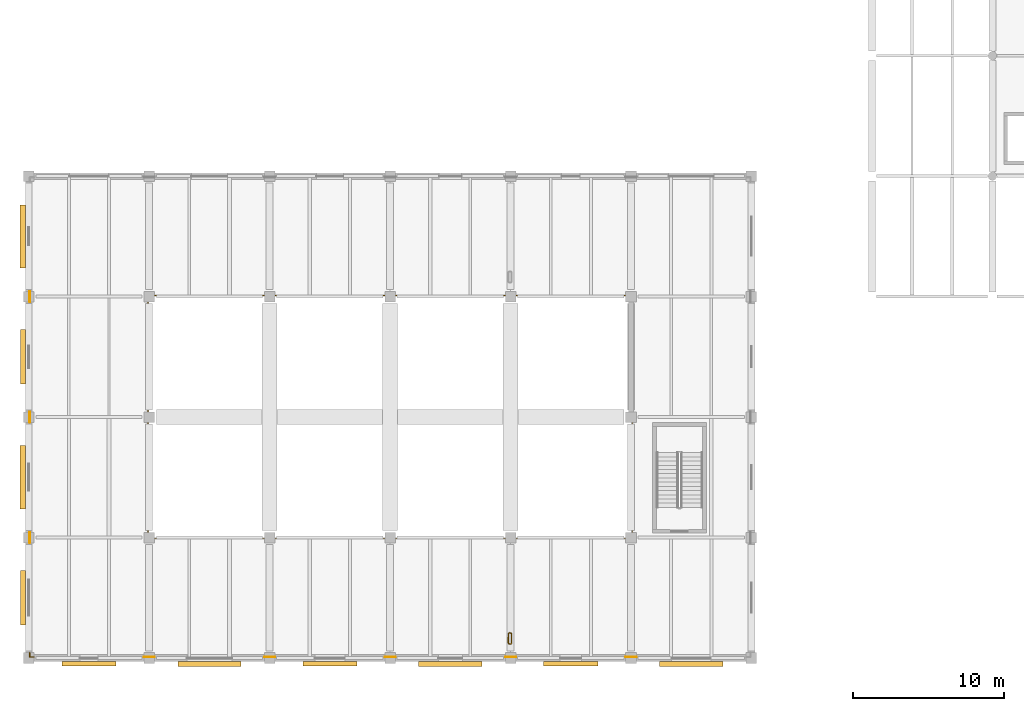
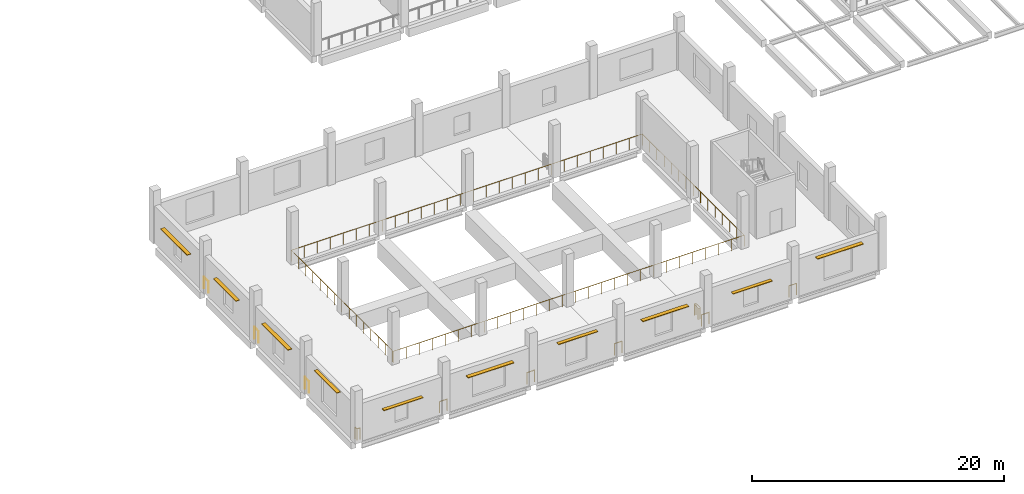
# One storey, part 42 of 61: 11 railings, 10 shading devices.
"""IFC4 building model written with IfcOpenShell, lengths in metres."""

from ifc_helpers import new_model, si_unit, direction, frame, origin, origin_2d, place, context, subcontext, project, spatial, rectangle, circle, extrude, material, type_object, element, save


model = new_model("IFC4")

# Units and contexts
model_context = context("Model", 3, precision=1e-05, world=origin(), true_north=direction((0.0, 1.0)))
body_context = subcontext(model_context, "Body", "Model", "MODEL_VIEW")
ifc_project = project(units=[si_unit("LENGTHUNIT", "METRE"), si_unit("AREAUNIT", "SQUARE_METRE"), si_unit("VOLUMEUNIT", "CUBIC_METRE"), si_unit("PLANEANGLEUNIT", "RADIAN"), si_unit("MASSUNIT", "GRAM", prefix="KILO")], contexts=[model_context])

# Site, building, storey
site_placement = place(None, origin())
site = spatial("IfcSite", under=ifc_project, at=site_placement, CompositionType="ELEMENT")
building_placement = place(site_placement, origin())
building = spatial("IfcBuilding", under=site, at=building_placement, Name="Pecanmere Concourse Central Library", CompositionType="ELEMENT")
storey_placement = place(building_placement, frame((0.0, 0.0, 5.39990234375)))
storey = spatial("IfcBuildingStorey", under=building, at=storey_placement, Name="L02", CompositionType="ELEMENT", Elevation=5.39990234375)

# Railings
ifc_material_1 = material(Name="Architectural anodized bronze")
railing_type = type_object("IfcRailingType", Name="RAIL_ATRIUM_BAL", PredefinedType="BALUSTRADE", material=ifc_material_1)
railing_1_placement = place(storey_placement, frame((7.919921875, 7.919921875, 0.0)))
element("IfcRailing", 1, at=railing_1_placement, inside=storey, type_object=railing_type, Name="Auditorium Balcony Protective Balustrade", PredefinedType="BALUSTRADE", context=body_context, shape_type="SweptSolid", body=[
    extrude(circle(Radius=0.02392578125, at=origin_2d()), frame((0.0, 0.0, 1.09619140625), z_axis=(1.0, 0.0, 0.0), x_axis=(0.0, 1.0, 0.0)), (0.0, 0.0, 1.0), 32.16015625),
    extrude(circle(Radius=0.02392578125, at=origin_2d()), frame((32.16015625, 0.0, 1.09619140625), z_axis=(0.0, 1.0, 0.0), x_axis=(-1.0, 0.0, 0.0)), (0.0, 0.0, 1.0), 16.16015625),
    extrude(circle(Radius=0.02392578125, at=origin_2d()), frame((32.16015625, 16.16015625, 1.09619140625), z_axis=(-1.0, 0.0, 0.0), x_axis=(0.0, -1.0, 0.0)), (0.0, 0.0, 1.0), 32.16015625),
    extrude(circle(Radius=0.02392578125, at=origin_2d()), frame((0.0, 16.16015625, 1.09619140625), z_axis=(0.0, -1.0, 0.0), x_axis=(1.0, 0.0, 0.0)), (0.0, 0.0, 1.0), 16.06005859375),
    extrude(circle(Radius=0.02099609375, at=origin_2d()), origin(), (0.0, 0.0, 1.0), 1.072021484375),
    extrude(circle(Radius=0.02099609375, at=origin_2d()), frame((1.191162109375, 0.0, 0.0)), (0.0, 0.0, 1.0), 1.072021484375),
    extrude(circle(Radius=0.02099609375, at=origin_2d()), frame((2.38232421875, 0.0, 0.0)), (0.0, 0.0, 1.0), 1.072021484375),
    extrude(circle(Radius=0.02099609375, at=origin_2d()), frame((3.5732421875, 0.0, 0.0)), (0.0, 0.0, 1.0), 1.072021484375),
    extrude(circle(Radius=0.02099609375, at=origin_2d()), frame((4.764404296875, 0.0, 0.0)), (0.0, 0.0, 1.0), 1.072021484375),
    extrude(circle(Radius=0.02099609375, at=origin_2d()), frame((5.95556640625, 0.0, 0.0)), (0.0, 0.0, 1.0), 1.072021484375),
    extrude(circle(Radius=0.02099609375, at=origin_2d()), frame((7.146728515625, 0.0, 0.0)), (0.0, 0.0, 1.0), 1.072021484375),
    extrude(circle(Radius=0.02099609375, at=origin_2d()), frame((8.337890625, 0.0, 0.0)), (0.0, 0.0, 1.0), 1.072021484375),
    extrude(circle(Radius=0.02099609375, at=origin_2d()), frame((9.529052734375, 0.0, 0.0)), (0.0, 0.0, 1.0), 1.072021484375),
    extrude(circle(Radius=0.02099609375, at=origin_2d()), frame((10.719970703125, 0.0, 0.0)), (0.0, 0.0, 1.0), 1.072021484375),
    extrude(circle(Radius=0.02099609375, at=origin_2d()), frame((11.9111328125, 0.0, 0.0)), (0.0, 0.0, 1.0), 1.072021484375),
    extrude(circle(Radius=0.02099609375, at=origin_2d()), frame((13.102294921875, 0.0, 0.0)), (0.0, 0.0, 1.0), 1.072021484375),
    extrude(circle(Radius=0.02099609375, at=origin_2d()), frame((14.29345703125, 0.0, 0.0)), (0.0, 0.0, 1.0), 1.072021484375),
    extrude(circle(Radius=0.02099609375, at=origin_2d()), frame((15.484619140625, 0.0, 0.0)), (0.0, 0.0, 1.0), 1.072021484375),
    extrude(circle(Radius=0.02099609375, at=origin_2d()), frame((16.675537109375, 0.0, 0.0)), (0.0, 0.0, 1.0), 1.072021484375),
    extrude(circle(Radius=0.02099609375, at=origin_2d()), frame((17.86669921875, 0.0, 0.0)), (0.0, 0.0, 1.0), 1.072021484375),
    extrude(circle(Radius=0.02099609375, at=origin_2d()), frame((19.057861328125, 0.0, 0.0)), (0.0, 0.0, 1.0), 1.072021484375),
    extrude(circle(Radius=0.02099609375, at=origin_2d()), frame((20.2490234375, 0.0, 0.0)), (0.0, 0.0, 1.0), 1.072021484375),
    extrude(circle(Radius=0.02099609375, at=origin_2d()), frame((21.440185546875, 0.0, 0.0)), (0.0, 0.0, 1.0), 1.072021484375),
    extrude(circle(Radius=0.02099609375, at=origin_2d()), frame((22.631103515625, 0.0, 0.0)), (0.0, 0.0, 1.0), 1.072021484375),
    extrude(circle(Radius=0.02099609375, at=origin_2d()), frame((23.822265625, 0.0, 0.0)), (0.0, 0.0, 1.0), 1.072021484375),
    extrude(circle(Radius=0.02099609375, at=origin_2d()), frame((25.013427734375, 0.0, 0.0)), (0.0, 0.0, 1.0), 1.072021484375),
    extrude(circle(Radius=0.02099609375, at=origin_2d()), frame((26.20458984375, 0.0, 0.0)), (0.0, 0.0, 1.0), 1.072021484375),
    extrude(circle(Radius=0.02099609375, at=origin_2d()), frame((27.395751953125, 0.0, 0.0)), (0.0, 0.0, 1.0), 1.072021484375),
    extrude(circle(Radius=0.02099609375, at=origin_2d()), frame((28.5869140625, 0.0, 0.0)), (0.0, 0.0, 1.0), 1.072021484375),
    extrude(circle(Radius=0.02099609375, at=origin_2d()), frame((29.77783203125, 0.0, 0.0)), (0.0, 0.0, 1.0), 1.072021484375),
    extrude(circle(Radius=0.02099609375, at=origin_2d()), frame((30.968994140625, 0.0, 0.0)), (0.0, 0.0, 1.0), 1.072021484375),
    extrude(circle(Radius=0.02099609375, at=origin_2d()), frame((32.16015625, 0.0, 0.0)), (0.0, 0.0, 1.0), 1.072021484375),
    extrude(circle(Radius=0.02099609375, at=origin_2d()), frame((32.16015625, 1.154296875, 0.0)), (0.0, 0.0, 1.0), 1.072021484375),
    extrude(circle(Radius=0.02099609375, at=origin_2d()), frame((32.16015625, 2.30859375, 0.0)), (0.0, 0.0, 1.0), 1.072021484375),
    extrude(circle(Radius=0.02099609375, at=origin_2d()), frame((32.16015625, 3.462890625, 0.0)), (0.0, 0.0, 1.0), 1.072021484375),
    extrude(circle(Radius=0.02099609375, at=origin_2d()), frame((32.16015625, 4.6171875, 0.0)), (0.0, 0.0, 1.0), 1.072021484375),
    extrude(circle(Radius=0.02099609375, at=origin_2d()), frame((32.16015625, 5.771484375, 0.0)), (0.0, 0.0, 1.0), 1.072021484375),
    extrude(circle(Radius=0.02099609375, at=origin_2d()), frame((32.16015625, 6.92578125, 0.0)), (0.0, 0.0, 1.0), 1.072021484375),
    extrude(circle(Radius=0.02099609375, at=origin_2d()), frame((32.16015625, 8.080078125, 0.0)), (0.0, 0.0, 1.0), 1.072021484375),
    extrude(circle(Radius=0.02099609375, at=origin_2d()), frame((32.16015625, 9.234375, 0.0)), (0.0, 0.0, 1.0), 1.072021484375),
    extrude(circle(Radius=0.02099609375, at=origin_2d()), frame((32.16015625, 10.388671875, 0.0)), (0.0, 0.0, 1.0), 1.072021484375),
    extrude(circle(Radius=0.02099609375, at=origin_2d()), frame((32.16015625, 11.54296875, 0.0)), (0.0, 0.0, 1.0), 1.072021484375),
    extrude(circle(Radius=0.02099609375, at=origin_2d()), frame((32.16015625, 12.697265625, 0.0)), (0.0, 0.0, 1.0), 1.072021484375),
    extrude(circle(Radius=0.02099609375, at=origin_2d()), frame((32.16015625, 13.8515625, 0.0)), (0.0, 0.0, 1.0), 1.072021484375),
    extrude(circle(Radius=0.02099609375, at=origin_2d()), frame((32.16015625, 15.005859375, 0.0)), (0.0, 0.0, 1.0), 1.072021484375),
    extrude(circle(Radius=0.02099609375, at=origin_2d()), frame((32.16015625, 16.16015625, 0.0)), (0.0, 0.0, 1.0), 1.072021484375),
    extrude(circle(Radius=0.02099609375, at=origin_2d()), frame((30.968994140625, 16.16015625, 0.0)), (0.0, 0.0, 1.0), 1.072021484375),
    extrude(circle(Radius=0.02099609375, at=origin_2d()), frame((29.77783203125, 16.16015625, 0.0)), (0.0, 0.0, 1.0), 1.072021484375),
    extrude(circle(Radius=0.02099609375, at=origin_2d()), frame((28.5869140625, 16.16015625, 0.0)), (0.0, 0.0, 1.0), 1.072021484375),
    extrude(circle(Radius=0.02099609375, at=origin_2d()), frame((27.395751953125, 16.16015625, 0.0)), (0.0, 0.0, 1.0), 1.072021484375),
    extrude(circle(Radius=0.02099609375, at=origin_2d()), frame((26.20458984375, 16.16015625, 0.0)), (0.0, 0.0, 1.0), 1.072021484375),
    extrude(circle(Radius=0.02099609375, at=origin_2d()), frame((25.013427734375, 16.16015625, 0.0)), (0.0, 0.0, 1.0), 1.072021484375),
    extrude(circle(Radius=0.02099609375, at=origin_2d()), frame((23.822265625, 16.16015625, 0.0)), (0.0, 0.0, 1.0), 1.072021484375),
    extrude(circle(Radius=0.02099609375, at=origin_2d()), frame((22.631103515625, 16.16015625, 0.0)), (0.0, 0.0, 1.0), 1.072021484375),
    extrude(circle(Radius=0.02099609375, at=origin_2d()), frame((21.440185546875, 16.16015625, 0.0)), (0.0, 0.0, 1.0), 1.072021484375),
    extrude(circle(Radius=0.02099609375, at=origin_2d()), frame((20.2490234375, 16.16015625, 0.0)), (0.0, 0.0, 1.0), 1.072021484375),
    extrude(circle(Radius=0.02099609375, at=origin_2d()), frame((19.057861328125, 16.16015625, 0.0)), (0.0, 0.0, 1.0), 1.072021484375),
    extrude(circle(Radius=0.02099609375, at=origin_2d()), frame((17.86669921875, 16.16015625, 0.0)), (0.0, 0.0, 1.0), 1.072021484375),
    extrude(circle(Radius=0.02099609375, at=origin_2d()), frame((16.675537109375, 16.16015625, 0.0)), (0.0, 0.0, 1.0), 1.072021484375),
    extrude(circle(Radius=0.02099609375, at=origin_2d()), frame((15.484619140625, 16.16015625, 0.0)), (0.0, 0.0, 1.0), 1.072021484375),
    extrude(circle(Radius=0.02099609375, at=origin_2d()), frame((14.29345703125, 16.16015625, 0.0)), (0.0, 0.0, 1.0), 1.072021484375),
    extrude(circle(Radius=0.02099609375, at=origin_2d()), frame((13.102294921875, 16.16015625, 0.0)), (0.0, 0.0, 1.0), 1.072021484375),
    extrude(circle(Radius=0.02099609375, at=origin_2d()), frame((11.9111328125, 16.16015625, 0.0)), (0.0, 0.0, 1.0), 1.072021484375),
    extrude(circle(Radius=0.02099609375, at=origin_2d()), frame((10.719970703125, 16.16015625, 0.0)), (0.0, 0.0, 1.0), 1.072021484375),
    extrude(circle(Radius=0.02099609375, at=origin_2d()), frame((9.529052734375, 16.16015625, 0.0)), (0.0, 0.0, 1.0), 1.072021484375),
    extrude(circle(Radius=0.02099609375, at=origin_2d()), frame((8.337890625, 16.16015625, 0.0)), (0.0, 0.0, 1.0), 1.072021484375),
    extrude(circle(Radius=0.02099609375, at=origin_2d()), frame((7.146728515625, 16.16015625, 0.0)), (0.0, 0.0, 1.0), 1.072021484375),
    extrude(circle(Radius=0.02099609375, at=origin_2d()), frame((5.95556640625, 16.16015625, 0.0)), (0.0, 0.0, 1.0), 1.072021484375),
    extrude(circle(Radius=0.02099609375, at=origin_2d()), frame((4.764404296875, 16.16015625, 0.0)), (0.0, 0.0, 1.0), 1.072021484375),
    extrude(circle(Radius=0.02099609375, at=origin_2d()), frame((3.5732421875, 16.16015625, 0.0)), (0.0, 0.0, 1.0), 1.072021484375),
    extrude(circle(Radius=0.02099609375, at=origin_2d()), frame((2.38232421875, 16.16015625, 0.0)), (0.0, 0.0, 1.0), 1.072021484375),
    extrude(circle(Radius=0.02099609375, at=origin_2d()), frame((1.191162109375, 16.16015625, 0.0)), (0.0, 0.0, 1.0), 1.072021484375),
    extrude(circle(Radius=0.02099609375, at=origin_2d()), frame((0.0, 16.16015625, 0.0)), (0.0, 0.0, 1.0), 1.072021484375),
    extrude(circle(Radius=0.02099609375, at=origin_2d()), frame((0.0, 15.012939453125, 0.0)), (0.0, 0.0, 1.0), 1.072021484375),
    extrude(circle(Radius=0.02099609375, at=origin_2d()), frame((0.0, 13.865966796875, 0.0)), (0.0, 0.0, 1.0), 1.072021484375),
    extrude(circle(Radius=0.02099609375, at=origin_2d()), frame((0.0, 12.71875, 0.0)), (0.0, 0.0, 1.0), 1.072021484375),
    extrude(circle(Radius=0.02099609375, at=origin_2d()), frame((0.0, 11.571533203125, 0.0)), (0.0, 0.0, 1.0), 1.072021484375),
    extrude(circle(Radius=0.02099609375, at=origin_2d()), frame((0.0, 10.42431640625, 0.0)), (0.0, 0.0, 1.0), 1.072021484375),
    extrude(circle(Radius=0.02099609375, at=origin_2d()), frame((0.0, 9.27734375, 0.0)), (0.0, 0.0, 1.0), 1.072021484375),
    extrude(circle(Radius=0.02099609375, at=origin_2d()), frame((0.0, 8.130126953125, 0.0)), (0.0, 0.0, 1.0), 1.072021484375),
    extrude(circle(Radius=0.02099609375, at=origin_2d()), frame((0.0, 6.98291015625, 0.0)), (0.0, 0.0, 1.0), 1.072021484375),
    extrude(circle(Radius=0.02099609375, at=origin_2d()), frame((0.0, 5.8359375, 0.0)), (0.0, 0.0, 1.0), 1.072021484375),
    extrude(circle(Radius=0.02099609375, at=origin_2d()), frame((0.0, 4.688720703125, 0.0)), (0.0, 0.0, 1.0), 1.072021484375),
    extrude(circle(Radius=0.02099609375, at=origin_2d()), frame((0.0, 3.54150390625, 0.0)), (0.0, 0.0, 1.0), 1.072021484375),
    extrude(circle(Radius=0.02099609375, at=origin_2d()), frame((0.0, 2.394287109375, 0.0)), (0.0, 0.0, 1.0), 1.072021484375),
    extrude(circle(Radius=0.02099609375, at=origin_2d()), frame((0.0, 1.247314453125, 0.0)), (0.0, 0.0, 1.0), 1.072021484375),
    extrude(circle(Radius=0.02099609375, at=origin_2d()), frame((0.0, 0.10009765625, 0.0)), (0.0, 0.0, 1.0), 1.072021484375),
])
for number, where, name in (
    (2, (40.344970703125, 0.0703125, 0.0), "Deck Edge Protective Balustrade L02-088"),
    (3, (32.344970703125, 0.0703125, 0.0), "Deck Edge Protective Balustrade L02-089"),
    (4, (24.344970703125, 0.070068359375, 0.0), "Deck Edge Protective Balustrade L02-090"),
    (5, (16.344970703125, 0.070068359375, 0.0), "Deck Edge Protective Balustrade L02-091"),
    (6, (8.344970703125, 0.070068359375, 0.0), "Deck Edge Protective Balustrade L02-092"),
):
    element("IfcRailing", number, at=place(storey_placement, frame(where)), inside=storey, type_object=railing_type, Name=name, PredefinedType="BALUSTRADE", context=body_context, shape_type="SweptSolid", body=[
        extrude(circle(Radius=0.02392578125, at=origin_2d()), frame((0.0, 0.0, 1.09619140625), z_axis=(-1.0, 0.0, 0.0), x_axis=(0.0, -1.0, 0.0)), (0.0, 0.0, 1.0), 0.68994140625),
        extrude(circle(Radius=0.02099609375, at=origin_2d()), origin(), (0.0, 0.0, 1.0), 1.072021484375),
        extrude(circle(Radius=0.02099609375, at=origin_2d()), frame((-0.68994140625, 0.0, 0.0)), (0.0, 0.0, 1.0), 1.072021484375),
    ])
railing_2_placement = place(storey_placement, frame((0.344970703125, 0.070068359375, 0.0)))
element("IfcRailing", 7, at=railing_2_placement, inside=storey, type_object=railing_type, Name="Deck Edge Protective Balustrade L02-093", PredefinedType="BALUSTRADE", context=body_context, shape_type="SweptSolid", body=[
    extrude(circle(Radius=0.02392578125, at=origin_2d()), frame((0.0, 0.0, 1.09619140625), z_axis=(-1.0, 0.0, 0.0), x_axis=(0.0, -1.0, 0.0)), (0.0, 0.0, 1.0), 0.274658203125),
    extrude(circle(Radius=0.02392578125, at=origin_2d()), frame((-0.274658203125, 0.0, 1.09619140625), z_axis=(0.0, 1.0, 0.0), x_axis=(-1.0, 0.0, 0.0)), (0.0, 0.0, 1.0), 0.27490234375),
    extrude(circle(Radius=0.02099609375, at=origin_2d()), origin(), (0.0, 0.0, 1.0), 1.072021484375),
    extrude(circle(Radius=0.02099609375, at=origin_2d()), frame((-0.274658203125, 0.0, 0.0)), (0.0, 0.0, 1.0), 1.072021484375),
    extrude(circle(Radius=0.02099609375, at=origin_2d()), frame((-0.274658203125, 0.27490234375, 0.0)), (0.0, 0.0, 1.0), 1.072021484375),
])
for number, where, name in (
    (8, (0.0703125, 7.655029296875, 0.0), "Deck Edge Protective Balustrade L02-094"),
    (9, (0.070068359375, 15.655029296875, 0.0), "Deck Edge Protective Balustrade L02-095"),
    (10, (0.070068359375, 23.655029296875, 0.0), "Deck Edge Protective Balustrade L02-096"),
):
    element("IfcRailing", number, at=place(storey_placement, frame(where)), inside=storey, type_object=railing_type, Name=name, PredefinedType="BALUSTRADE", context=body_context, shape_type="SweptSolid", body=[
        extrude(circle(Radius=0.02392578125, at=origin_2d()), frame((0.0, 0.0, 1.09619140625), z_axis=(0.0, 1.0, 0.0), x_axis=(-1.0, 0.0, 0.0)), (0.0, 0.0, 1.0), 0.68994140625),
        extrude(circle(Radius=0.02099609375, at=origin_2d()), origin(), (0.0, 0.0, 1.0), 1.072021484375),
        extrude(circle(Radius=0.02099609375, at=origin_2d()), frame((0.0, 0.68994140625, 0.0)), (0.0, 0.0, 1.0), 1.072021484375),
    ])
railing_3_placement = place(storey_placement, frame((31.923095703125, 1.669677734375, 0.0)))
element("IfcRailing", 11, at=railing_3_placement, inside=storey, type_object=railing_type, Name="Deck Edge Protective Balustrade L02-099", PredefinedType="BALUSTRADE", context=body_context, shape_type="SweptSolid", body=[
    extrude(circle(Radius=0.02392578125, at=origin_2d()), frame((0.0, 0.0, 1.09619140625), z_axis=(-0.806311430369, -0.591491231767, 0.0), x_axis=(0.591491231767, -0.806311430369, 0.0)), (0.0, 0.0, 1.0), 0.0830078125),
    extrude(circle(Radius=0.02392578125, at=origin_2d()), frame((-0.06689453125, -0.049072265625, 1.09619140625), z_axis=(-0.009489489668, -0.999954973779, 0.0), x_axis=(0.999954973779, -0.009489489668, 0.0)), (0.0, 0.0, 1.0), 0.617431640625),
    extrude(circle(Radius=0.02392578125, at=origin_2d()), frame((-0.07275390625, -0.66650390625, 1.09619140625), z_axis=(0.591491231767, -0.806311430369, 0.0), x_axis=(0.806311430369, 0.591491231767, 0.0)), (0.0, 0.0, 1.0), 0.0830078125),
    extrude(circle(Radius=0.02392578125, at=origin_2d()), frame((-0.023681640625, -0.7333984375, 1.09619140625), z_axis=(0.998195860289, -0.060041856258, 0.0), x_axis=(0.060041856258, 0.998195860289, 0.0)), (0.0, 0.0, 1.0), 0.09765625),
    extrude(circle(Radius=0.02392578125, at=origin_2d()), frame((0.07373046875, -0.7392578125, 1.09619140625), z_axis=(0.806311430369, 0.591491231767, 0.0), x_axis=(-0.591491231767, 0.806311430369, 0.0)), (0.0, 0.0, 1.0), 0.0830078125),
    extrude(circle(Radius=0.02392578125, at=origin_2d()), frame((0.140625, -0.690185546875, 1.09619140625), z_axis=(0.009489489668, 0.999954973779, 0.0), x_axis=(-0.999954973779, 0.009489489668, 0.0)), (0.0, 0.0, 1.0), 0.617431640625),
    extrude(circle(Radius=0.02392578125, at=origin_2d()), frame((0.146484375, -0.07275390625, 1.09619140625), z_axis=(-0.591491231767, 0.806311430369, 0.0), x_axis=(-0.806311430369, -0.591491231767, 0.0)), (0.0, 0.0, 1.0), 0.0830078125),
    extrude(circle(Radius=0.02392578125, at=origin_2d()), frame((0.097412109375, -0.005859375, 1.09619140625), z_axis=(-0.998195860289, 0.060041856258, 0.0), x_axis=(-0.060041856258, -0.998195860289, 0.0)), (0.0, 0.0, 1.0), 0.09765625),
    extrude(circle(Radius=0.02099609375, at=origin_2d()), origin(), (0.0, 0.0, 1.0), 1.072021484375),
    extrude(circle(Radius=0.02099609375, at=origin_2d()), frame((-0.06689453125, -0.049072265625, 0.0)), (0.0, 0.0, 1.0), 1.072021484375),
    extrude(circle(Radius=0.02099609375, at=origin_2d()), frame((-0.07275390625, -0.66650390625, 0.0)), (0.0, 0.0, 1.0), 1.072021484375),
    extrude(circle(Radius=0.02099609375, at=origin_2d()), frame((-0.023681640625, -0.7333984375, 0.0)), (0.0, 0.0, 1.0), 1.072021484375),
    extrude(circle(Radius=0.02099609375, at=origin_2d()), frame((0.07373046875, -0.7392578125, 0.0)), (0.0, 0.0, 1.0), 1.072021484375),
    extrude(circle(Radius=0.02099609375, at=origin_2d()), frame((0.140625, -0.690185546875, 0.0)), (0.0, 0.0, 1.0), 1.072021484375),
    extrude(circle(Radius=0.02099609375, at=origin_2d()), frame((0.146484375, -0.07275390625, 0.0)), (0.0, 0.0, 1.0), 1.072021484375),
    extrude(circle(Radius=0.02099609375, at=origin_2d()), frame((0.097412109375, -0.005859375, 0.0)), (0.0, 0.0, 1.0), 1.072021484375),
])

# Shading devices
ifc_material_2 = material(Name="Architectural anodized bronze")
shading_device_type_1 = type_object("IfcShadingDeviceType", Name="SHD_BRISE_1", PredefinedType="AWNING", material=ifc_material_2)
for number, where, z_axis, x_axis, name in (
    (12, (12.0, -0.39990234375, 2.949951171875), (0.0, 0.0, 1.0), (1.0, 0.0, 0.0), "Bronze Solar Brise-Soleil L02-012"),
    (13, (28.0, -0.39990234375, 2.800048828125), (0.0, 0.0, 1.0), (1.0, 0.0, 0.0), "Bronze Solar Brise-Soleil L02-014"),
    (14, (44.0, -0.39990234375, 3.25), (0.0, 0.0, 1.0), (1.0, 0.0, 0.0), "Bronze Solar Brise-Soleil L02-016"),
    (15, (-0.39990234375, 12.0, 2.949951171875), (0.0, 0.0, 1.0), (0.0, -1.0, 0.0), "Bronze Solar Brise-Soleil L02-018"),
    (16, (-0.39990234375, 28.0, 2.449951171875), (0.0, 0.0, 1.0), (0.0, -1.0, 0.0), "Bronze Solar Brise-Soleil L02-020"),
):
    element("IfcShadingDevice", number, at=place(storey_placement, frame(where, z_axis=z_axis, x_axis=x_axis)), inside=storey, type_object=shading_device_type_1, Name=name, PredefinedType="AWNING", context=body_context, shape_type="SweptSolid", body=[
        extrude(rectangle(XDim=4.199951171875, YDim=0.360107421875, at=origin_2d()), origin(), (0.0, 0.0, 1.0), 0.06005859375),
    ])
ifc_material_3 = material(Name="Architectural anodized bronze")
shading_device_type_2 = type_object("IfcShadingDeviceType", Name="SHD_BRISE_2", PredefinedType="AWNING", material=ifc_material_3)
for number, where, z_axis, x_axis, name in (
    (17, (4.0, -0.3798828125, 2.45263671875), (0.0, 0.0, 1.0), (1.0, 0.0, 0.0), "Bronze Solar Brise-Soleil L02-011"),
    (18, (20.0, -0.3798828125, 3.25244140625), (0.0, 0.0, 1.0), (1.0, 0.0, 0.0), "Bronze Solar Brise-Soleil L02-013"),
    (19, (36.0, -0.3798828125, 2.552734375), (0.0, 0.0, 1.0), (1.0, 0.0, 0.0), "Bronze Solar Brise-Soleil L02-015"),
    (20, (-0.3798828125, 4.0, 3.45263671875), (0.0, 0.0, 1.0), (0.0, -1.0, 0.0), "Bronze Solar Brise-Soleil L02-017"),
    (21, (-0.3798828125, 20.0, 2.65283203125), (0.0, 0.0, 1.0), (0.0, -1.0, 0.0), "Bronze Solar Brise-Soleil L02-019"),
):
    element("IfcShadingDevice", number, at=place(storey_placement, frame(where, z_axis=z_axis, x_axis=x_axis)), inside=storey, type_object=shading_device_type_2, Name=name, PredefinedType="AWNING", context=body_context, shape_type="SweptSolid", body=[
        extrude(rectangle(XDim=3.60009765625, YDim=0.320068359375, at=origin_2d()), origin(), (0.0, 0.0, 1.0), 0.054931640625),
    ])

save(model, "model.ifc")
